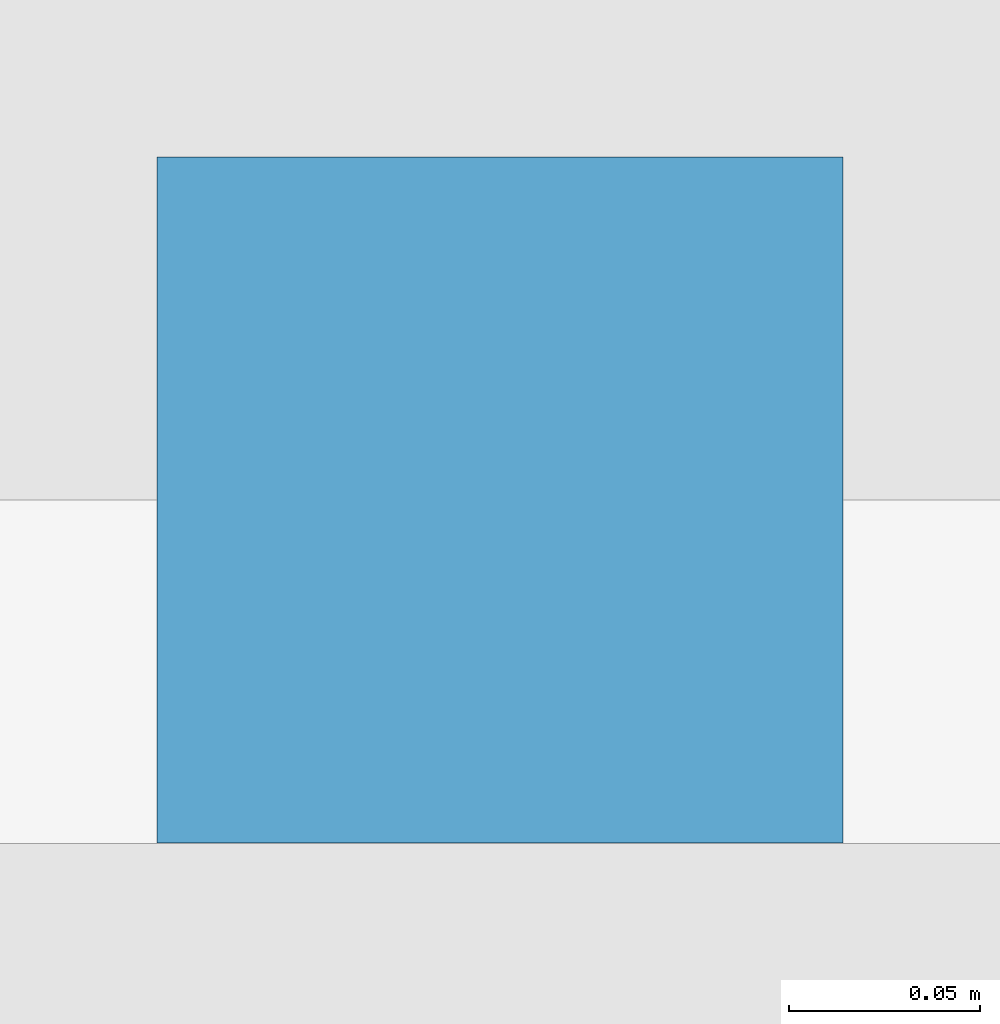
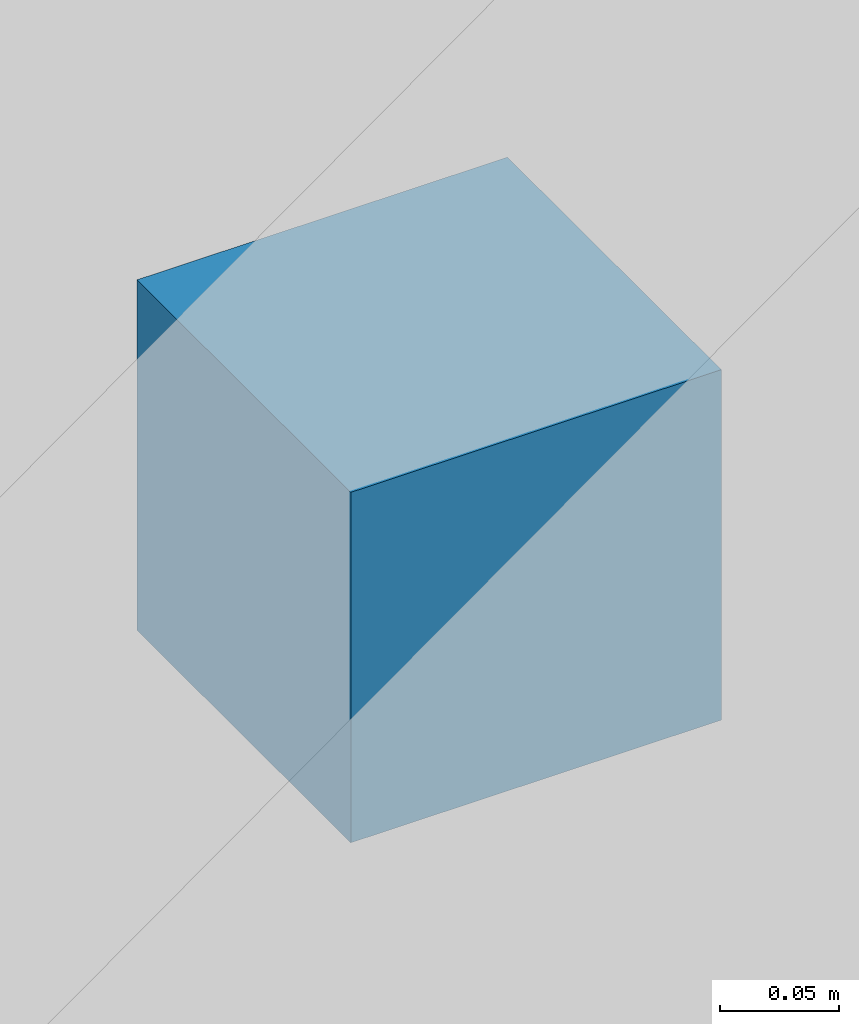
# One storey, part 265 of 285: 1 discrete accessory.
"""IFC4 building model written with IfcOpenShell, lengths in metres."""

from ifc_helpers import new_model, si_unit, direction, frame, origin, origin_2d, place, context, subcontext, project, spatial, rectangle, extrude, material, type_object, element, save


model = new_model("IFC4")

# Units and contexts
model_context = context("Model", 3, precision=1e-05, world=origin(), true_north=direction((0.0, 1.0)))
body_context = subcontext(model_context, "Body", "Model", "MODEL_VIEW")
ifc_project = project(units=[si_unit("LENGTHUNIT", "METRE"), si_unit("AREAUNIT", "SQUARE_METRE"), si_unit("VOLUMEUNIT", "CUBIC_METRE"), si_unit("PLANEANGLEUNIT", "RADIAN"), si_unit("MASSUNIT", "GRAM", prefix="KILO")], contexts=[model_context])

# Site, building, storey
site_placement = place(None, origin())
site = spatial("IfcSite", under=ifc_project, at=site_placement, CompositionType="ELEMENT")
building_placement = place(site_placement, origin())
building = spatial("IfcBuilding", under=site, at=building_placement, Name="Solanera Park Tramway Depot", CompositionType="ELEMENT")
storey_placement = place(building_placement, origin())
storey = spatial("IfcBuildingStorey", under=building, at=storey_placement, Name="L00", CompositionType="ELEMENT", Elevation=0.0)

# Discrete accessory
ifc_material = material(Name="Steel AS/NZS 3679.1 Grade 350", Category="steel")
discrete_accessory_type = type_object("IfcDiscreteAccessoryType", Name="Facade Sunshade Fixing Bracket 180x180", PredefinedType="BRACKET", material=ifc_material)
discrete_accessory_placement = place(storey_placement, frame((17.425048828125, 10.550048828125, 1.68017578125), z_axis=(0.0, 0.0, 1.0), x_axis=(1.0, 0.0, 0.0)))
element("IfcDiscreteAccessory", 1, at=discrete_accessory_placement, inside=storey, type_object=discrete_accessory_type, Name="Jalousie Bracket #002", PredefinedType="BRACKET", context=body_context, shape_type="SweptSolid", body=[
    extrude(rectangle(XDim=0.179931640625, YDim=0.179931640625, at=origin_2d()), origin(), (0.0, 0.0, 1.0), 0.179931640625),
])

save(model, "model.ifc")
